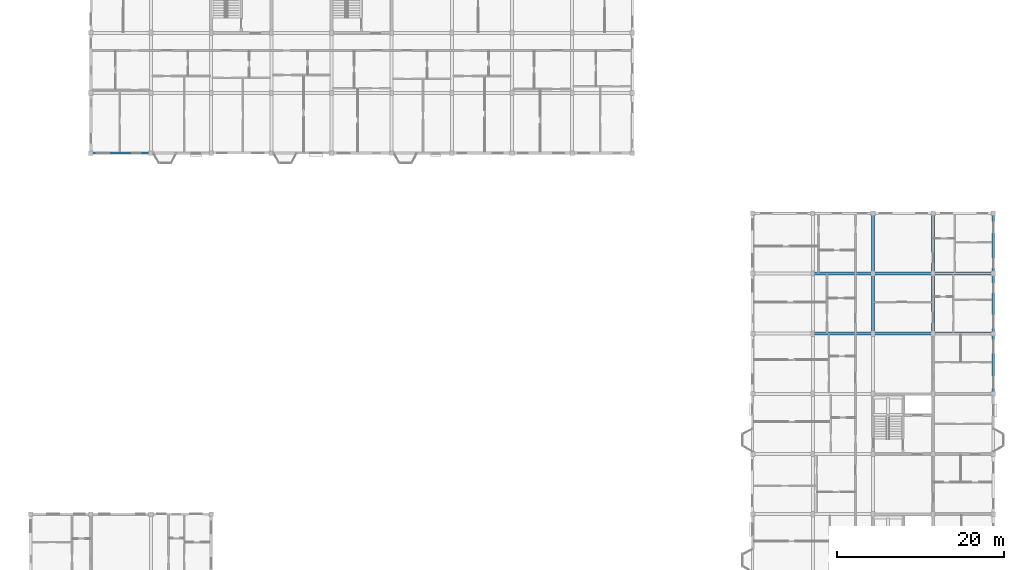
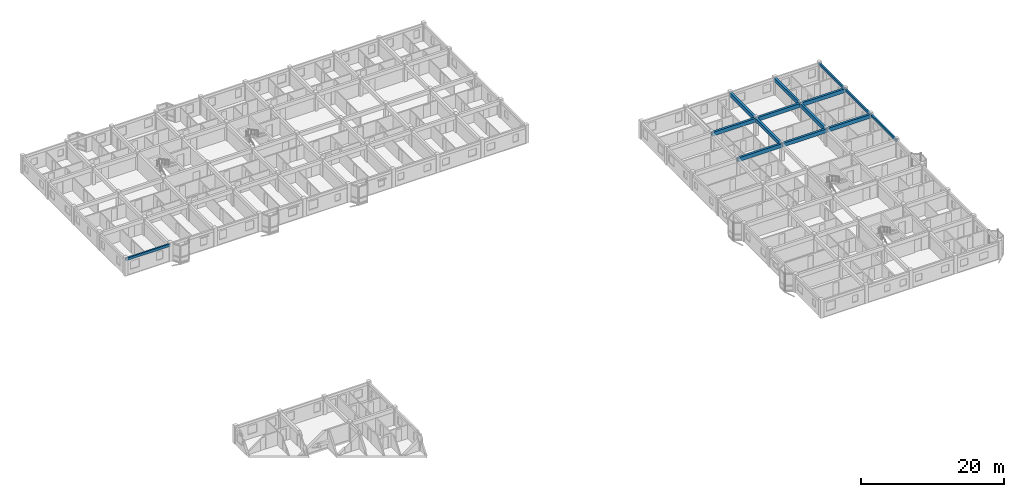
# One storey, part 31 of 77: 14 beams.
"""IFC4 building model written with IfcOpenShell, lengths in metres."""

from ifc_helpers import new_model, si_unit, direction, frame, origin, origin_2d, place, context, subcontext, project, spatial, rectangle, extrude, material, material_profile, profile_set, type_object, element, save


model = new_model("IFC4")

# Units and contexts
model_context = context("Model", 3, precision=1e-05, world=origin(), true_north=direction((0.0, 1.0)))
body_context = subcontext(model_context, "Body", "Model", "MODEL_VIEW")
ifc_project = project(units=[si_unit("LENGTHUNIT", "METRE"), si_unit("AREAUNIT", "SQUARE_METRE"), si_unit("VOLUMEUNIT", "CUBIC_METRE"), si_unit("PLANEANGLEUNIT", "RADIAN"), si_unit("MASSUNIT", "GRAM", prefix="KILO"), si_unit("THERMODYNAMICTEMPERATUREUNIT", "KELVIN"), si_unit("POWERUNIT", "WATT")], contexts=[model_context])

# Site, building, storey
site_placement = place(None, origin())
site = spatial("IfcSite", under=ifc_project, at=site_placement, CompositionType="ELEMENT")
building_placement = place(site_placement, origin())
building = spatial("IfcBuilding", under=site, at=building_placement, Name="Tavuni Mirador Residences", CompositionType="ELEMENT")
storey_placement = place(building_placement, frame((0.0, 0.0, 10.800048828125)))
storey = spatial("IfcBuildingStorey", under=building, at=storey_placement, Name="L03", CompositionType="ELEMENT", Elevation=10.800048828125)

# Beams
ifc_material = material(Name="Precast concrete C40/50", Category="concrete")
ifc_material_profile_1 = material_profile(ifc_material, rectangle(XDim=0.35009765625, YDim=0.64990234375, at=origin_2d()), Name="PC 350x650", Category="concrete")
ifc_profile_set_1 = profile_set([ifc_material_profile_1], Name="Precast concrete C40/50")
beam_type_1 = type_object("IfcBeamType", Name="BT-B650", PredefinedType="BEAM", material=ifc_profile_set_1)
beam_1_placement = place(storey_placement, frame((97.199951171875, 122.39990234375, 2.56494140625), z_axis=(1.0, 0.0, 0.0), x_axis=(0.0, 1.0, 0.0)))
element("IfcBeam", 1, at=beam_1_placement, inside=storey, type_object=beam_type_1, Name="BMX-BLK-D-L03-01-05", PredefinedType="BEAM", context=body_context, shape_type="SweptSolid", body=[
    extrude(rectangle(XDim=0.35009765625, YDim=0.64990234375, at=origin_2d()), origin(), (0.0, 0.0, 1.0), 7.199951171875),
])
beam_2_placement = place(storey_placement, frame((104.39990234375, 122.39990234375, 2.56494140625), z_axis=(1.0, 0.0, 0.0), x_axis=(0.0, 1.0, 0.0)))
element("IfcBeam", 2, at=beam_2_placement, inside=storey, type_object=beam_type_1, Name="BMX-BLK-D-L03-02-05", PredefinedType="BEAM", context=body_context, shape_type="SweptSolid", body=[
    extrude(rectangle(XDim=0.35009765625, YDim=0.64990234375, at=origin_2d()), origin(), (0.0, 0.0, 1.0), 7.2001953125),
])
for number, where, z_axis, x_axis, name in (
    (3, (111.60009765625, 122.39990234375, 2.56494140625), (1.0, 0.0, 0.0), (0.0, 1.0, 0.0), "BMX-BLK-D-L03-03-05"),
    (4, (97.199951171875, 129.60009765625, 2.56494140625), (1.0, 0.0, 0.0), (0.0, 1.0, 0.0), "BMX-BLK-D-L03-01-06"),
):
    element("IfcBeam", number, at=place(storey_placement, frame(where, z_axis=z_axis, x_axis=x_axis)), inside=storey, type_object=beam_type_1, Name=name, PredefinedType="BEAM", context=body_context, shape_type="SweptSolid", body=[
        extrude(rectangle(XDim=0.35009765625, YDim=0.64990234375, at=origin_2d()), origin(), (0.0, 0.0, 1.0), 7.199951171875),
    ])
beam_3_placement = place(storey_placement, frame((104.39990234375, 129.60009765625, 2.56494140625), z_axis=(1.0, 0.0, 0.0), x_axis=(0.0, 1.0, 0.0)))
element("IfcBeam", 5, at=beam_3_placement, inside=storey, type_object=beam_type_1, Name="BMX-BLK-D-L03-02-06", PredefinedType="BEAM", context=body_context, shape_type="SweptSolid", body=[
    extrude(rectangle(XDim=0.35009765625, YDim=0.64990234375, at=origin_2d()), origin(), (0.0, 0.0, 1.0), 7.2001953125),
])
beam_4_placement = place(storey_placement, frame((111.60009765625, 129.60009765625, 2.56494140625), z_axis=(1.0, 0.0, 0.0), x_axis=(0.0, 1.0, 0.0)))
element("IfcBeam", 6, at=beam_4_placement, inside=storey, type_object=beam_type_1, Name="BMX-BLK-D-L03-03-06", PredefinedType="BEAM", context=body_context, shape_type="SweptSolid", body=[
    extrude(rectangle(XDim=0.35009765625, YDim=0.64990234375, at=origin_2d()), origin(), (0.0, 0.0, 1.0), 7.199951171875),
])
beam_5_placement = place(storey_placement, frame((104.39990234375, 122.39990234375, 2.56494140625), z_axis=(0.0, 1.0, 0.0), x_axis=(-1.0, 0.0, 0.0)))
element("IfcBeam", 7, at=beam_5_placement, inside=storey, type_object=beam_type_1, Name="BMY-BLK-D-L03-02-05", PredefinedType="BEAM", context=body_context, shape_type="SweptSolid", body=[
    extrude(rectangle(XDim=0.35009765625, YDim=0.64990234375, at=origin_2d()), origin(), (0.0, 0.0, 1.0), 7.2001953125),
])
beam_6_placement = place(storey_placement, frame((104.39990234375, 129.60009765625, 2.56494140625), z_axis=(0.0, 1.0, 0.0), x_axis=(-1.0, 0.0, 0.0)))
element("IfcBeam", 8, at=beam_6_placement, inside=storey, type_object=beam_type_1, Name="BMY-BLK-D-L03-02-06", PredefinedType="BEAM", context=body_context, shape_type="SweptSolid", body=[
    extrude(rectangle(XDim=0.35009765625, YDim=0.64990234375, at=origin_2d()), origin(), (0.0, 0.0, 1.0), 7.199951171875),
])
beam_7_placement = place(storey_placement, frame((111.60009765625, 122.39990234375, 2.56494140625), z_axis=(0.0, 1.0, 0.0), x_axis=(-1.0, 0.0, 0.0)))
element("IfcBeam", 9, at=beam_7_placement, inside=storey, type_object=beam_type_1, Name="BMY-BLK-D-L03-03-05", PredefinedType="BEAM", context=body_context, shape_type="SweptSolid", body=[
    extrude(rectangle(XDim=0.35009765625, YDim=0.64990234375, at=origin_2d()), origin(), (0.0, 0.0, 1.0), 7.2001953125),
])
beam_8_placement = place(storey_placement, frame((111.60009765625, 129.60009765625, 2.56494140625), z_axis=(0.0, 1.0, 0.0), x_axis=(-1.0, 0.0, 0.0)))
element("IfcBeam", 10, at=beam_8_placement, inside=storey, type_object=beam_type_1, Name="BMY-BLK-D-L03-03-06", PredefinedType="BEAM", context=body_context, shape_type="SweptSolid", body=[
    extrude(rectangle(XDim=0.35009765625, YDim=0.64990234375, at=origin_2d()), origin(), (0.0, 0.0, 1.0), 7.199951171875),
])
ifc_material_profile_2 = material_profile(ifc_material, rectangle(XDim=0.25, YDim=0.419921875, at=origin_2d()), Name="PC 250x420", Category="concrete")
ifc_profile_set_2 = profile_set([ifc_material_profile_2], Name="Precast concrete C40/50")
beam_type_2 = type_object("IfcBeamType", Name="BT-SP420", PredefinedType="SPANDREL", material=ifc_profile_set_2)
for number, where, z_axis, x_axis, name in (
    (11, (10.800048828125, 144.0, 2.675048828125), (1.0, 0.0, 0.0), (0.0, 1.0, 0.0), "BMX-BLK-C-L03-00-00"),
    (12, (118.800048828125, 115.199951171875, 2.679931640625), (0.0, 1.0, 0.0), (-1.0, 0.0, 0.0), "BMY-BLK-D-L03-04-04"),
):
    element("IfcBeam", number, at=place(storey_placement, frame(where, z_axis=z_axis, x_axis=x_axis)), inside=storey, type_object=beam_type_2, Name=name, PredefinedType="SPANDREL", context=body_context, shape_type="SweptSolid", body=[
        extrude(rectangle(XDim=0.25, YDim=0.419921875, at=origin_2d()), origin(), (0.0, 0.0, 1.0), 7.199951171875),
    ])
beam_9_placement = place(storey_placement, frame((118.800048828125, 122.39990234375, 2.679931640625), z_axis=(0.0, 1.0, 0.0), x_axis=(-1.0, 0.0, 0.0)))
element("IfcBeam", 13, at=beam_9_placement, inside=storey, type_object=beam_type_2, Name="BMY-BLK-D-L03-04-05", PredefinedType="SPANDREL", context=body_context, shape_type="SweptSolid", body=[
    extrude(rectangle(XDim=0.25, YDim=0.419921875, at=origin_2d()), origin(), (0.0, 0.0, 1.0), 7.2001953125),
])
beam_10_placement = place(storey_placement, frame((118.800048828125, 129.60009765625, 2.679931640625), z_axis=(0.0, 1.0, 0.0), x_axis=(-1.0, 0.0, 0.0)))
element("IfcBeam", 14, at=beam_10_placement, inside=storey, type_object=beam_type_2, Name="BMY-BLK-D-L03-04-06", PredefinedType="SPANDREL", context=body_context, shape_type="SweptSolid", body=[
    extrude(rectangle(XDim=0.25, YDim=0.419921875, at=origin_2d()), origin(), (0.0, 0.0, 1.0), 7.199951171875),
])

save(model, "model.ifc")
